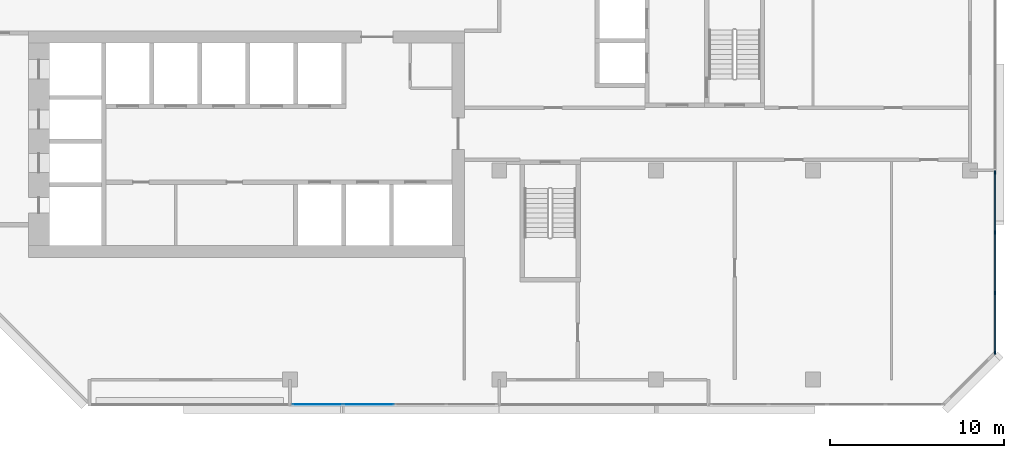
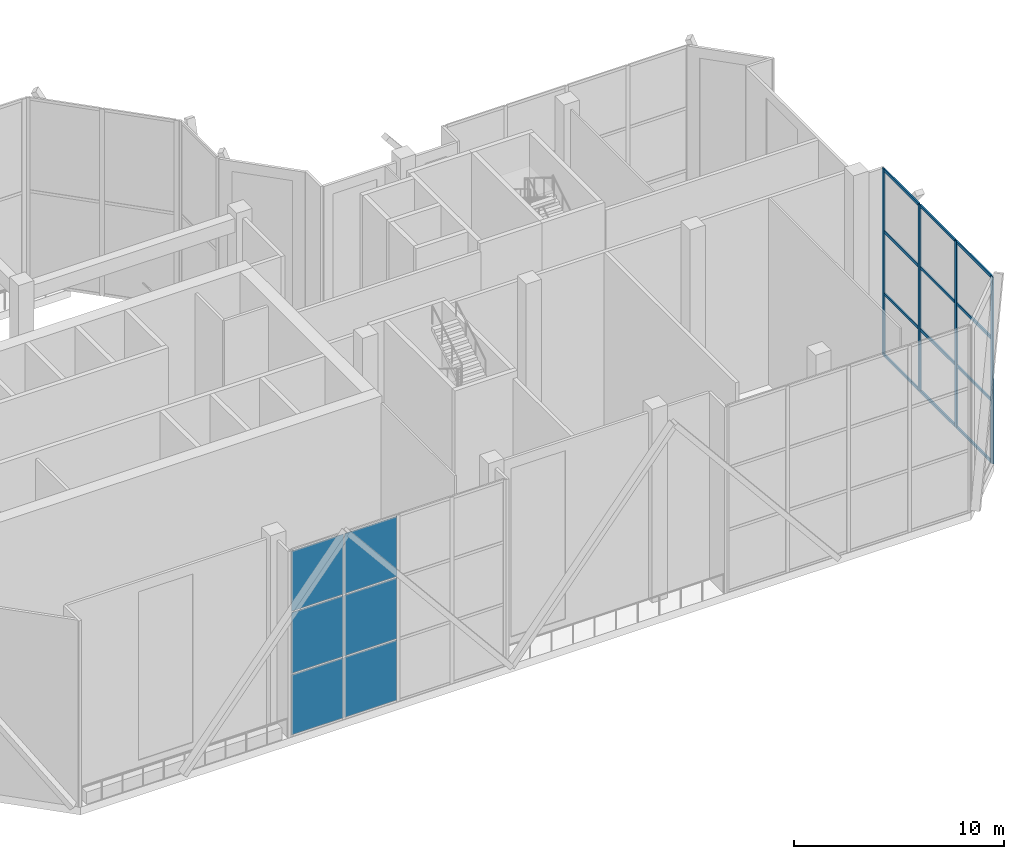
# One storey, part 7 of 18: 16 members, 6 plates, 2 elements without a shape of their own.
"""IFC4 building model written with IfcOpenShell, lengths in metres."""

from ifc_helpers import new_model, si_unit, direction, frame, origin, origin_2d, place, context, subcontext, project, spatial, rectangle, extrude, material, layer, layer_set, material_profile, profile_set, type_object, element, aggregate, save


model = new_model("IFC4")

# Units and contexts
model_context = context("Model", 3, precision=1e-05, world=origin(), true_north=direction((0.0, 1.0)))
body_context = subcontext(model_context, "Body", "Model", "MODEL_VIEW")
ifc_project = project(units=[si_unit("LENGTHUNIT", "METRE"), si_unit("AREAUNIT", "SQUARE_METRE"), si_unit("VOLUMEUNIT", "CUBIC_METRE"), si_unit("PLANEANGLEUNIT", "RADIAN"), si_unit("MASSUNIT", "GRAM", prefix="KILO")], contexts=[model_context])

# Site, building, storey
site_placement = place(None, origin())
site = spatial("IfcSite", under=ifc_project, at=site_placement, CompositionType="ELEMENT")
building_placement = place(site_placement, origin())
building = spatial("IfcBuilding", under=site, at=building_placement, Name="Chenar Terraces", CompositionType="ELEMENT")
storey_placement = place(building_placement, frame((0.0, 0.0, 262.14990234375)))
storey = spatial("IfcBuildingStorey", under=building, at=storey_placement, Name="L62", CompositionType="ELEMENT", Elevation=262.14990234375)

# Curtain wall, members
ifc_material_1 = material(Name="Aluminium framed glazing", Category="aluminium")
ifc_layer_1 = layer(ifc_material_1, 0.14990234375)
ifc_layer_set_1 = layer_set([ifc_layer_1], Name="Aluminium framed glazing")
curtain_wall_type = type_object("IfcCurtainWallType", Name="Sky garden curtain wall", PredefinedType="NOTDEFINED", material=ifc_layer_set_1)
placement = place(storey_placement, origin())
curtain_wall_1 = element("IfcCurtainWall", 1, at=placement, inside=storey, type_object=curtain_wall_type, Name="Sky garden curtain wall", PredefinedType="NOTDEFINED")
ifc_material_2 = material(Name="Aluminium", Category="aluminium")
ifc_material_profile_1 = material_profile(ifc_material_2, rectangle(XDim=0.080078125, YDim=0.199951171875, at=origin_2d()), Name="Sky garden mullion 80 x 200")
ifc_profile_set_1 = profile_set([ifc_material_profile_1], Name="Aluminium")
member_type_1 = type_object("IfcMemberType", Name="Sky garden mullion 80 x 200", PredefinedType="MULLION", material=ifc_profile_set_1)
member_1_placement = place(storey_placement, frame((64.425048828125, 1.5400390625, 0.0), z_axis=(0.0, 0.0, 1.0), x_axis=(-1.0, 0.0, 0.0)))
member_1 = element("IfcMember", 2, at=member_1_placement, type_object=member_type_1, Name="CW3-09 mullion 1", PredefinedType="MULLION", context=body_context, shape_type="SweptSolid", body=[
    extrude(rectangle(XDim=0.080078125, YDim=0.199951171875, at=origin_2d()), origin(), (0.0, 0.0, 1.0), 10.85009765625),
])
member_2_placement = place(storey_placement, frame((64.425048828125, 4.97509765625, 0.0), z_axis=(0.0, 0.0, 1.0), x_axis=(-1.0, 0.0, 0.0)))
member_2 = element("IfcMember", 3, at=member_2_placement, type_object=member_type_1, Name="CW3-09 mullion 2", PredefinedType="MULLION", context=body_context, shape_type="SweptSolid", body=[
    extrude(rectangle(XDim=0.080078125, YDim=0.199951171875, at=origin_2d()), origin(), (0.0, 0.0, 1.0), 10.85009765625),
])
member_3_placement = place(storey_placement, frame((64.425048828125, 8.449951171875, 0.0), z_axis=(0.0, 0.0, 1.0), x_axis=(-1.0, 0.0, 0.0)))
member_3 = element("IfcMember", 4, at=member_3_placement, type_object=member_type_1, Name="CW3-09 mullion 3", PredefinedType="MULLION", context=body_context, shape_type="SweptSolid", body=[
    extrude(rectangle(XDim=0.080078125, YDim=0.199951171875, at=origin_2d()), origin(), (0.0, 0.0, 1.0), 10.85009765625),
])
member_4_placement = place(storey_placement, frame((64.425048828125, 11.885009765625, 0.0), z_axis=(0.0, 0.0, 1.0), x_axis=(-1.0, 0.0, 0.0)))
member_4 = element("IfcMember", 5, at=member_4_placement, type_object=member_type_1, Name="CW3-09 mullion 4", PredefinedType="MULLION", context=body_context, shape_type="SweptSolid", body=[
    extrude(rectangle(XDim=0.080078125, YDim=0.199951171875, at=origin_2d()), origin(), (0.0, 0.0, 1.0), 10.85009765625),
])
ifc_material_3 = material(Name="Aluminium", Category="aluminium")
ifc_material_profile_2 = material_profile(ifc_material_3, rectangle(XDim=0.080078125, YDim=0.159912109375, at=origin_2d()), Name="Sky garden transom 80 x 160")
ifc_profile_set_2 = profile_set([ifc_material_profile_2], Name="Aluminium")
member_type_2 = type_object("IfcMemberType", Name="Sky garden transom 80 x 160", PredefinedType="USERDEFINED", material=ifc_profile_set_2)
member_5_placement = place(storey_placement, frame((64.425048828125, 1.580078125, 0.0400390625), z_axis=(0.0, 1.0, 0.0), x_axis=(-1.0, 0.0, 0.0)))
member_5 = element("IfcMember", 6, at=member_5_placement, type_object=member_type_2, Name="CW3-09 transom 1.1", ObjectType="TRANSOM", PredefinedType="USERDEFINED", context=body_context, shape_type="SweptSolid", body=[
    extrude(rectangle(XDim=0.080078125, YDim=0.159912109375, at=origin_2d()), origin(), (0.0, 0.0, 1.0), 3.35498046875),
])
member_6_placement = place(storey_placement, frame((64.425048828125, 1.580078125, 3.6171875), z_axis=(0.0, 1.0, 0.0), x_axis=(-1.0, 0.0, 0.0)))
member_6 = element("IfcMember", 7, at=member_6_placement, type_object=member_type_2, Name="CW3-09 transom 1.2", ObjectType="TRANSOM", PredefinedType="USERDEFINED", context=body_context, shape_type="SweptSolid", body=[
    extrude(rectangle(XDim=0.080078125, YDim=0.159912109375, at=origin_2d()), origin(), (0.0, 0.0, 1.0), 3.35498046875),
])
member_7_placement = place(storey_placement, frame((64.425048828125, 1.580078125, 7.233154296875), z_axis=(0.0, 1.0, 0.0), x_axis=(-1.0, 0.0, 0.0)))
member_7 = element("IfcMember", 8, at=member_7_placement, type_object=member_type_2, Name="CW3-09 transom 1.3", ObjectType="TRANSOM", PredefinedType="USERDEFINED", context=body_context, shape_type="SweptSolid", body=[
    extrude(rectangle(XDim=0.080078125, YDim=0.159912109375, at=origin_2d()), origin(), (0.0, 0.0, 1.0), 3.35498046875),
])
member_8_placement = place(storey_placement, frame((64.425048828125, 1.580078125, 10.81005859375), z_axis=(0.0, 1.0, 0.0), x_axis=(-1.0, 0.0, 0.0)))
member_8 = element("IfcMember", 9, at=member_8_placement, type_object=member_type_2, Name="CW3-09 transom 1.4", ObjectType="TRANSOM", PredefinedType="USERDEFINED", context=body_context, shape_type="SweptSolid", body=[
    extrude(rectangle(XDim=0.080078125, YDim=0.159912109375, at=origin_2d()), origin(), (0.0, 0.0, 1.0), 3.35498046875),
])
member_9_placement = place(storey_placement, frame((64.425048828125, 5.014892578125, 0.0400390625), z_axis=(0.0, 1.0, 0.0), x_axis=(-1.0, 0.0, 0.0)))
member_9 = element("IfcMember", 10, at=member_9_placement, type_object=member_type_2, Name="CW3-09 transom 2.1", ObjectType="TRANSOM", PredefinedType="USERDEFINED", context=body_context, shape_type="SweptSolid", body=[
    extrude(rectangle(XDim=0.080078125, YDim=0.159912109375, at=origin_2d()), origin(), (0.0, 0.0, 1.0), 3.39501953125),
])
member_10_placement = place(storey_placement, frame((64.425048828125, 5.014892578125, 3.6171875), z_axis=(0.0, 1.0, 0.0), x_axis=(-1.0, 0.0, 0.0)))
member_10 = element("IfcMember", 11, at=member_10_placement, type_object=member_type_2, Name="CW3-09 transom 2.2", ObjectType="TRANSOM", PredefinedType="USERDEFINED", context=body_context, shape_type="SweptSolid", body=[
    extrude(rectangle(XDim=0.080078125, YDim=0.159912109375, at=origin_2d()), origin(), (0.0, 0.0, 1.0), 3.39501953125),
])
member_11_placement = place(storey_placement, frame((64.425048828125, 5.014892578125, 7.233154296875), z_axis=(0.0, 1.0, 0.0), x_axis=(-1.0, 0.0, 0.0)))
member_11 = element("IfcMember", 12, at=member_11_placement, type_object=member_type_2, Name="CW3-09 transom 2.3", ObjectType="TRANSOM", PredefinedType="USERDEFINED", context=body_context, shape_type="SweptSolid", body=[
    extrude(rectangle(XDim=0.080078125, YDim=0.159912109375, at=origin_2d()), origin(), (0.0, 0.0, 1.0), 3.39501953125),
])
member_12_placement = place(storey_placement, frame((64.425048828125, 5.014892578125, 10.81005859375), z_axis=(0.0, 1.0, 0.0), x_axis=(-1.0, 0.0, 0.0)))
member_12 = element("IfcMember", 13, at=member_12_placement, type_object=member_type_2, Name="CW3-09 transom 2.4", ObjectType="TRANSOM", PredefinedType="USERDEFINED", context=body_context, shape_type="SweptSolid", body=[
    extrude(rectangle(XDim=0.080078125, YDim=0.159912109375, at=origin_2d()), origin(), (0.0, 0.0, 1.0), 3.39501953125),
])
member_13_placement = place(storey_placement, frame((64.425048828125, 8.489990234375, 0.0400390625), z_axis=(0.0, 1.0, 0.0), x_axis=(-1.0, 0.0, 0.0)))
member_13 = element("IfcMember", 14, at=member_13_placement, type_object=member_type_2, Name="CW3-09 transom 3.1", ObjectType="TRANSOM", PredefinedType="USERDEFINED", context=body_context, shape_type="SweptSolid", body=[
    extrude(rectangle(XDim=0.080078125, YDim=0.159912109375, at=origin_2d()), origin(), (0.0, 0.0, 1.0), 3.35498046875),
])
member_14_placement = place(storey_placement, frame((64.425048828125, 8.489990234375, 3.6171875), z_axis=(0.0, 1.0, 0.0), x_axis=(-1.0, 0.0, 0.0)))
member_14 = element("IfcMember", 15, at=member_14_placement, type_object=member_type_2, Name="CW3-09 transom 3.2", ObjectType="TRANSOM", PredefinedType="USERDEFINED", context=body_context, shape_type="SweptSolid", body=[
    extrude(rectangle(XDim=0.080078125, YDim=0.159912109375, at=origin_2d()), origin(), (0.0, 0.0, 1.0), 3.35498046875),
])
member_15_placement = place(storey_placement, frame((64.425048828125, 8.489990234375, 7.233154296875), z_axis=(0.0, 1.0, 0.0), x_axis=(-1.0, 0.0, 0.0)))
member_15 = element("IfcMember", 16, at=member_15_placement, type_object=member_type_2, Name="CW3-09 transom 3.3", ObjectType="TRANSOM", PredefinedType="USERDEFINED", context=body_context, shape_type="SweptSolid", body=[
    extrude(rectangle(XDim=0.080078125, YDim=0.159912109375, at=origin_2d()), origin(), (0.0, 0.0, 1.0), 3.35498046875),
])
member_16_placement = place(storey_placement, frame((64.425048828125, 8.489990234375, 10.81005859375), z_axis=(0.0, 1.0, 0.0), x_axis=(-1.0, 0.0, 0.0)))
member_16 = element("IfcMember", 17, at=member_16_placement, type_object=member_type_2, Name="CW3-09 transom 3.4", ObjectType="TRANSOM", PredefinedType="USERDEFINED", context=body_context, shape_type="SweptSolid", body=[
    extrude(rectangle(XDim=0.080078125, YDim=0.159912109375, at=origin_2d()), origin(), (0.0, 0.0, 1.0), 3.35498046875),
])
aggregate(curtain_wall_1, [member_1, member_2, member_3, member_4, member_5, member_6, member_7, member_8, member_9, member_10, member_11, member_12, member_13, member_14, member_15, member_16])

# Curtain wall, plates
curtain_wall_2 = element("IfcCurtainWall", 18, at=placement, inside=storey, type_object=curtain_wall_type, Name="Sky garden curtain wall", PredefinedType="NOTDEFINED")
ifc_material_4 = material(Name="Low emissivity laminated glass, solar control coating", Category="glass")
ifc_layer_2 = layer(ifc_material_4, 0.031982421875)
ifc_layer_set_2 = layer_set([ifc_layer_2], Name="Low emissivity laminated glass, solar control coating")
plate_type = type_object("IfcPlateType", Name="Sky garden glazing panel 32", PredefinedType="CURTAIN_PANEL", material=ifc_layer_set_2)
plate_1_placement = place(storey_placement, frame((25.576171875, -1.425048828125, 0.080078125), z_axis=(0.0, 0.0, 1.0), x_axis=(1.0, 0.0, 0.0)))
plate_1 = element("IfcPlate", 19, at=plate_1_placement, type_object=plate_type, Name="CW3-07 panel 1.1", PredefinedType="CURTAIN_PANEL", context=body_context, shape_type="SweptSolid", body=[
    extrude(rectangle(XDim=2.842529296875, YDim=0.028076171875, at=origin_2d()), origin(), (0.0, 0.0, 1.0), 3.4970703125),
])
plate_2_placement = place(storey_placement, frame((25.576171875, -1.425048828125, 3.6572265625), z_axis=(0.0, 0.0, 1.0), x_axis=(1.0, 0.0, 0.0)))
plate_2 = element("IfcPlate", 20, at=plate_2_placement, type_object=plate_type, Name="CW3-07 panel 1.2", PredefinedType="CURTAIN_PANEL", context=body_context, shape_type="SweptSolid", body=[
    extrude(rectangle(XDim=2.842529296875, YDim=0.028076171875, at=origin_2d()), origin(), (0.0, 0.0, 1.0), 3.535888671875),
])
plate_3_placement = place(storey_placement, frame((25.576171875, -1.425048828125, 7.27294921875), z_axis=(0.0, 0.0, 1.0), x_axis=(1.0, 0.0, 0.0)))
plate_3 = element("IfcPlate", 21, at=plate_3_placement, type_object=plate_type, Name="CW3-07 panel 1.3", PredefinedType="CURTAIN_PANEL", context=body_context, shape_type="SweptSolid", body=[
    extrude(rectangle(XDim=2.842529296875, YDim=0.028076171875, at=origin_2d()), origin(), (0.0, 0.0, 1.0), 3.4970703125),
])
plate_4_placement = place(storey_placement, frame((28.518798828125, -1.425048828125, 0.080078125), z_axis=(0.0, 0.0, 1.0), x_axis=(1.0, 0.0, 0.0)))
plate_4 = element("IfcPlate", 22, at=plate_4_placement, type_object=plate_type, Name="CW3-07 panel 2.1", PredefinedType="CURTAIN_PANEL", context=body_context, shape_type="SweptSolid", body=[
    extrude(rectangle(XDim=2.882568359375, YDim=0.028076171875, at=origin_2d()), origin(), (0.0, 0.0, 1.0), 3.4970703125),
])
plate_5_placement = place(storey_placement, frame((28.518798828125, -1.425048828125, 3.6572265625), z_axis=(0.0, 0.0, 1.0), x_axis=(1.0, 0.0, 0.0)))
plate_5 = element("IfcPlate", 23, at=plate_5_placement, type_object=plate_type, Name="CW3-07 panel 2.2", PredefinedType="CURTAIN_PANEL", context=body_context, shape_type="SweptSolid", body=[
    extrude(rectangle(XDim=2.882568359375, YDim=0.028076171875, at=origin_2d()), origin(), (0.0, 0.0, 1.0), 3.535888671875),
])
plate_6_placement = place(storey_placement, frame((28.518798828125, -1.425048828125, 7.27294921875), z_axis=(0.0, 0.0, 1.0), x_axis=(1.0, 0.0, 0.0)))
plate_6 = element("IfcPlate", 24, at=plate_6_placement, type_object=plate_type, Name="CW3-07 panel 2.3", PredefinedType="CURTAIN_PANEL", context=body_context, shape_type="SweptSolid", body=[
    extrude(rectangle(XDim=2.882568359375, YDim=0.028076171875, at=origin_2d()), origin(), (0.0, 0.0, 1.0), 3.4970703125),
])
aggregate(curtain_wall_2, [plate_1, plate_2, plate_3, plate_4, plate_5, plate_6])

save(model, "model.ifc")
